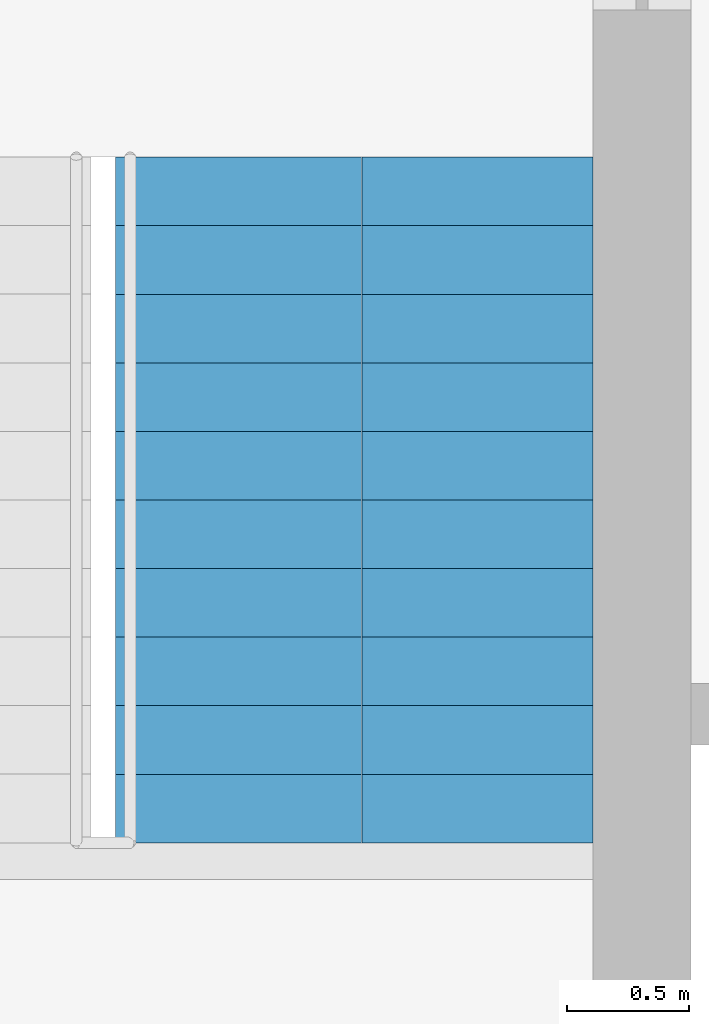
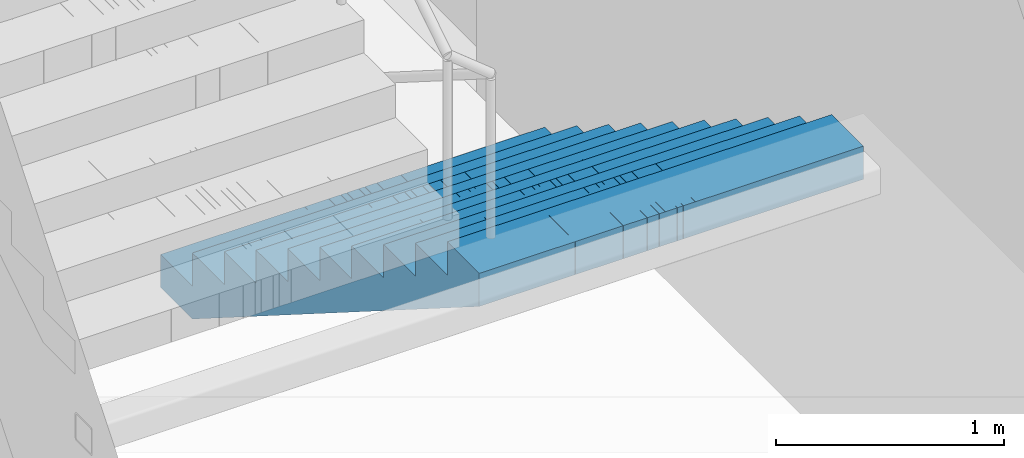
# One storey, part 21 of 22: 1 stair flight, 1 element without a shape of its own.
"""IFC4 building model written with IfcOpenShell, lengths in metres."""

import ifcopenshell
import ifcopenshell.guid

model = None  # the IFC model being written
_history = None  # IfcOwnerHistory: only IFC2X3 demands one
_inside = {}  # id of a spatial element -> (the spatial element, [elements in it])
_under = {}  # id of a project, library or spatial element -> (it, [spatial elements below it])
_declared = {}  # id of a project -> (the project, [libraries it declares])
_typed = {}  # id of a type object -> (the type object, [elements of that type])
_made_of = {}  # id of a material, layer set ... -> (it, [elements and type objects made of it])


def new_model(schema):
    """Start an empty IFC model of exactly this schema.

    Asked for "IFC4X3", IfcOpenShell would pick the latest addendum, in which some entities
    have other attributes; the version numbers below select the first issue.
    IFC2X3 requires an IfcOwnerHistory on every rooted entity: one is made here for all.
    """
    global model, _history
    if schema == "IFC4X3":
        model = ifcopenshell.file(schema_version=(4, 3, 0, 0))
    else:
        model = ifcopenshell.file(schema=schema)
    _inside.clear()
    _under.clear()
    _declared.clear()
    _typed.clear()
    _made_of.clear()
    _history = None
    if model.schema == "IFC2X3":
        org = make("IfcOrganization", Name="unknown")
        user = make(
            "IfcPersonAndOrganization",
            ThePerson=make("IfcPerson", FamilyName="unknown"),
            TheOrganization=org,
        )
        app = make(
            "IfcApplication",
            ApplicationDeveloper=org,
            Version="unknown",
            ApplicationFullName="unknown",
            ApplicationIdentifier="unknown",
        )
        _history = make(
            "IfcOwnerHistory",
            OwningUser=user,
            OwningApplication=app,
            ChangeAction="ADDED",
            CreationDate=0,
        )
    return model


def make(cls, **values):
    """One entity of the class cls with the attributes given. An attribute that is None is left unset."""
    return model.create_entity(
        cls, **{name: value for name, value in values.items() if value is not None}
    )


def rooted(cls, **values):
    """An entity with a GlobalId (a new one), such as an element, a storey or a relation."""
    return make(cls, GlobalId=ifcopenshell.guid.new(), OwnerHistory=_history, **values)


def si_unit(unit_type, name, prefix=None):
    """IfcSIUnit, for example si_unit("LENGTHUNIT", "METRE", prefix="MILLI")."""
    return make("IfcSIUnit", UnitType=unit_type, Prefix=prefix, Name=name)


def assignment(units):
    """IfcUnitAssignment: the units of a project."""
    return None if units is None else make("IfcUnitAssignment", Units=units)


def point(xyz):
    """IfcCartesianPoint."""
    return None if xyz is None else make("IfcCartesianPoint", Coordinates=xyz)


def direction(xyz):
    """IfcDirection."""
    return None if xyz is None else make("IfcDirection", DirectionRatios=xyz)


def frame(location, z_axis=None, x_axis=None):
    """IfcAxis2Placement3D, a coordinate frame: its origin and axes. An axis left out is left unset."""
    return make(
        "IfcAxis2Placement3D",
        Location=point(location),
        Axis=direction(z_axis),
        RefDirection=direction(x_axis),
    )


def origin():
    """The frame at (0, 0, 0) with its axes left unset."""
    return frame((0.0, 0.0, 0.0))


def place(relative_to, where):
    """IfcLocalPlacement: puts the frame where relative to a parent placement (None: the world)."""
    return make(
        "IfcLocalPlacement", PlacementRelTo=relative_to, RelativePlacement=where
    )


def context(
    kind, dimensions, precision=None, world=None, true_north=None, identifier=None
):
    """IfcGeometricRepresentationContext, for example the 3D "Model" context."""
    return make(
        "IfcGeometricRepresentationContext",
        ContextIdentifier=identifier,
        ContextType=kind,
        CoordinateSpaceDimension=dimensions,
        Precision=precision,
        WorldCoordinateSystem=world,
        TrueNorth=true_north,
    )


def subcontext(parent, identifier, kind, view, scale=None):
    """IfcGeometricRepresentationSubContext, for example "Body" below "Model"."""
    return make(
        "IfcGeometricRepresentationSubContext",
        ContextIdentifier=identifier,
        ContextType=kind,
        ParentContext=parent,
        TargetScale=scale,
        TargetView=view,
    )


def project(units=None, contexts=None):
    """IfcProject with its units and contexts."""
    return rooted(
        "IfcProject",
        Name="project",
        RepresentationContexts=contexts,
        UnitsInContext=assignment(units),
    )


def spatial(cls, under=None, at=None, **own):
    """A site, building, storey or space (cls), placed at a placement, below another one or the project."""
    s = rooted(cls, ObjectPlacement=at, **own)
    if under is not None:
        _under.setdefault(under.id(), (under, []))[1].append(s)
    return s


def polyline(points):
    """IfcPolyline through the points."""
    return make("IfcPolyline", Points=[point(p) for p in points])


def outline(outer, holes=None, kind="AREA"):
    """IfcArbitraryClosedProfileDef: a profile drawn as a closed curve; with holes, ...WithVoids."""
    if holes is None:
        return make("IfcArbitraryClosedProfileDef", ProfileType=kind, OuterCurve=outer)
    return make(
        "IfcArbitraryProfileDefWithVoids",
        ProfileType=kind,
        OuterCurve=outer,
        InnerCurves=holes,
    )


def extrude(swept, where, along, depth):
    """IfcExtrudedAreaSolid: the profile swept, set in the frame where, extruded along a direction by depth."""
    return make(
        "IfcExtrudedAreaSolid",
        SweptArea=swept,
        Position=where,
        ExtrudedDirection=direction(along),
        Depth=depth,
    )


def shape(context_of_items, identifier, shape_type, items):
    """IfcShapeRepresentation: the items that make up one representation, for example the "Body"."""
    return make(
        "IfcShapeRepresentation",
        ContextOfItems=context_of_items,
        RepresentationIdentifier=identifier,
        RepresentationType=shape_type,
        Items=items,
    )


def material(Name=None, Category=None):
    """IfcMaterial."""
    return make("IfcMaterial", Name=Name, Category=Category)


def made_of(thing, what):
    """Note that an element or type object is made of a material, layer set ...; save() writes the relation."""
    if what is not None:
        _made_of.setdefault(what.id(), (what, []))[1].append(thing)
    return thing


def type_object(cls, material=None, **own):
    """A type object (cls), such as IfcWallType, which elements share."""
    return made_of(rooted(cls, **own), material)


def element(
    cls,
    number,
    at=None,
    inside=None,
    cuts=None,
    type_object=None,
    material=None,
    context=None,
    identifier="Body",
    shape_type=None,
    held_by="IfcProductDefinitionShape",
    body=None,
    shapes=None,
    **own,
):
    """One element of the class cls, such as IfcWall. Its Tag is "e" and its number.

    at: its placement. inside: the storey or other place that contains it. cuts: it is an
    opening in that element (IfcRelVoidsElement). A single representation is given by context,
    identifier, shape_type and body (its items); several are given by shapes. held_by: the class
    of the entity that holds the representations. save() writes the other relations.
    """
    e = rooted(cls, Tag="e%d" % number, ObjectPlacement=at, **own)
    if body is not None:
        shapes = [shape(context, identifier, shape_type, body)]
    if shapes is not None:
        e.Representation = make(held_by, Representations=shapes)
    if inside is not None:
        _inside.setdefault(inside.id(), (inside, []))[1].append(e)
    if cuts is not None:
        rooted(
            "IfcRelVoidsElement", RelatingBuildingElement=cuts, RelatedOpeningElement=e
        )
    if type_object is not None:
        _typed.setdefault(type_object.id(), (type_object, []))[1].append(e)
    return made_of(e, material)


def aggregate(whole, parts):
    """IfcRelAggregates: a whole, such as a stair, and the parts it consists of."""
    return rooted("IfcRelAggregates", RelatingObject=whole, RelatedObjects=parts)


def save(model, path):
    """Write the relations noted so far, then the file.

    IfcRelAggregates (storeys below a building ...), IfcRelContainedInSpatialStructure (elements
    in a storey), IfcRelDefinesByType, IfcRelAssociatesMaterial and IfcRelDeclares: one each for
    every whole, place, type object, material and project.
    """
    for whole, parts in _under.values():
        aggregate(whole, parts)
    for where, things in _inside.values():
        rooted(
            "IfcRelContainedInSpatialStructure",
            RelatedElements=things,
            RelatingStructure=where,
        )
    for kind, things in _typed.values():
        rooted("IfcRelDefinesByType", RelatedObjects=things, RelatingType=kind)
    for what, things in _made_of.values():
        rooted("IfcRelAssociatesMaterial", RelatedObjects=things, RelatingMaterial=what)
    for by, libraries in _declared.values():
        rooted("IfcRelDeclares", RelatingContext=by, RelatedDefinitions=libraries)
    model.write(path)


model = new_model("IFC4")

# Units and contexts
model_context = context("Model", 3, precision=1e-05, world=origin(), true_north=direction((0.0, 1.0)))
body_context = subcontext(model_context, "Body", "Model", "MODEL_VIEW")
ifc_project = project(units=[si_unit("LENGTHUNIT", "METRE"), si_unit("AREAUNIT", "SQUARE_METRE"), si_unit("VOLUMEUNIT", "CUBIC_METRE"), si_unit("PLANEANGLEUNIT", "RADIAN"), si_unit("MASSUNIT", "GRAM", prefix="KILO")], contexts=[model_context])

# Site, building, storey
site_placement = place(None, origin())
site = spatial("IfcSite", under=ifc_project, at=site_placement, CompositionType="ELEMENT")
building_placement = place(site_placement, origin())
building = spatial("IfcBuilding", under=site, at=building_placement, Name="Mizan Broadcast Tower", CompositionType="ELEMENT")
storey_placement = place(building_placement, frame((0.0, 0.0, 94.199951171875)))
storey = spatial("IfcBuildingStorey", under=building, at=storey_placement, Name="L20", CompositionType="ELEMENT", Elevation=94.199951171875)

# Stair, stair flight
ifc_material_1 = material(Name="Concrete C40/50", Category="concrete")
stair_type = type_object("IfcStairType", Name="EXIT STAIR", PredefinedType="HALF_TURN_STAIR", material=ifc_material_1)
stair_placement = place(storey_placement, origin())
stair = element("IfcStair", 1, at=stair_placement, inside=storey, type_object=stair_type, Name="Stair B L20", PredefinedType="HALF_TURN_STAIR")
ifc_material_2 = material(Name="Concrete C40/50", Category="concrete")
stair_flight_type = type_object("IfcStairFlightType", Name="EXIT STAIR FLIGHT", PredefinedType="STRAIGHT", material=ifc_material_2)
stair_flight_placement = place(storey_placement, frame((1.02490234375, 7.89990234375, 0.0), z_axis=(0.0, 0.0, 1.0), x_axis=(0.0, -1.0, 0.0)))
stair_flight = element("IfcStairFlight", 2, at=stair_flight_placement, type_object=stair_flight_type, Name="B flight 1", NumberOfRisers=11, NumberOfTreads=10, PredefinedType="STRAIGHT", RiserHeight=0.177272727, TreadLength=0.28, context=body_context, shape_type="SweptSolid", body=[
    extrude(outline(polyline([(0.0, 0.0), (0.0, 0.17724609375), (0.280029296875, 0.17724609375), (0.280029296875, 0.3544921875), (0.56005859375, 0.3544921875), (0.56005859375, 0.53173828125), (0.840087890625, 0.53173828125), (0.840087890625, 0.708984375), (1.1201171875, 0.708984375), (1.1201171875, 0.886474609375), (1.39990234375, 0.886474609375), (1.39990234375, 1.063720703125), (1.679931640625, 1.063720703125), (1.679931640625, 1.240966796875), (1.9599609375, 1.240966796875), (1.9599609375, 1.418212890625), (2.239990234375, 1.418212890625), (2.239990234375, 1.595458984375), (2.52001953125, 1.595458984375), (2.52001953125, 1.772705078125), (2.800048828125, 1.772705078125), (2.800048828125, 1.949951171875), (2.800048828125, 1.59521484375), (0.2802734375, 0.0), (0.0, 0.0)])), frame((0.0, 0.97509765625, 0.0), z_axis=(0.0, -1.0, 0.0), x_axis=(1.0, 0.0, 0.0)), (0.0, 0.0, 1.0), 0.4873046875),
    extrude(outline(polyline([(0.0, 0.0), (0.0, 0.17724609375), (0.280029296875, 0.17724609375), (0.280029296875, 0.3544921875), (0.56005859375, 0.3544921875), (0.56005859375, 0.53173828125), (0.840087890625, 0.53173828125), (0.840087890625, 0.708984375), (1.1201171875, 0.708984375), (1.1201171875, 0.886474609375), (1.39990234375, 0.886474609375), (1.39990234375, 1.063720703125), (1.679931640625, 1.063720703125), (1.679931640625, 1.240966796875), (1.9599609375, 1.240966796875), (1.9599609375, 1.418212890625), (2.239990234375, 1.418212890625), (2.239990234375, 1.595458984375), (2.52001953125, 1.595458984375), (2.52001953125, 1.772705078125), (2.800048828125, 1.772705078125), (2.800048828125, 1.949951171875), (2.800048828125, 1.59521484375), (0.2802734375, 0.0), (0.0, 0.0)])), frame((0.0, 0.4873046875, 0.0), z_axis=(0.0, -1.0, 0.0), x_axis=(1.0, 0.0, 0.0)), (0.0, 0.0, 1.0), 0.2431640625),
    extrude(outline(polyline([(0.0, 0.0), (0.0, 0.17724609375), (0.280029296875, 0.17724609375), (0.280029296875, 0.3544921875), (0.56005859375, 0.3544921875), (0.56005859375, 0.53173828125), (0.840087890625, 0.53173828125), (0.840087890625, 0.708984375), (1.1201171875, 0.708984375), (1.1201171875, 0.886474609375), (1.39990234375, 0.886474609375), (1.39990234375, 1.063720703125), (1.679931640625, 1.063720703125), (1.679931640625, 1.240966796875), (1.9599609375, 1.240966796875), (1.9599609375, 1.418212890625), (2.239990234375, 1.418212890625), (2.239990234375, 1.595458984375), (2.52001953125, 1.595458984375), (2.52001953125, 1.772705078125), (2.800048828125, 1.772705078125), (2.800048828125, 1.949951171875), (2.800048828125, 1.59521484375), (0.2802734375, 0.0), (0.0, 0.0)])), frame((0.0, 0.24365234375, 0.0), z_axis=(0.0, -1.0, 0.0), x_axis=(1.0, 0.0, 0.0)), (0.0, 0.0, 1.0), 0.121337890625),
    extrude(outline(polyline([(0.0, 0.0), (0.0, 0.17724609375), (0.280029296875, 0.17724609375), (0.280029296875, 0.3544921875), (0.56005859375, 0.3544921875), (0.56005859375, 0.53173828125), (0.840087890625, 0.53173828125), (0.840087890625, 0.708984375), (1.1201171875, 0.708984375), (1.1201171875, 0.886474609375), (1.39990234375, 0.886474609375), (1.39990234375, 1.063720703125), (1.679931640625, 1.063720703125), (1.679931640625, 1.240966796875), (1.9599609375, 1.240966796875), (1.9599609375, 1.418212890625), (2.239990234375, 1.418212890625), (2.239990234375, 1.595458984375), (2.52001953125, 1.595458984375), (2.52001953125, 1.772705078125), (2.800048828125, 1.772705078125), (2.800048828125, 1.949951171875), (2.800048828125, 1.59521484375), (0.2802734375, 0.0), (0.0, 0.0)])), frame((0.0, 0.121826171875, 0.0), z_axis=(0.0, -1.0, 0.0), x_axis=(1.0, 0.0, 0.0)), (0.0, 0.0, 1.0), 0.060546875),
    extrude(outline(polyline([(0.0, 0.0), (0.0, 0.17724609375), (0.280029296875, 0.17724609375), (0.280029296875, 0.3544921875), (0.56005859375, 0.3544921875), (0.56005859375, 0.53173828125), (0.840087890625, 0.53173828125), (0.840087890625, 0.708984375), (1.1201171875, 0.708984375), (1.1201171875, 0.886474609375), (1.39990234375, 0.886474609375), (1.39990234375, 1.063720703125), (1.679931640625, 1.063720703125), (1.679931640625, 1.240966796875), (1.9599609375, 1.240966796875), (1.9599609375, 1.418212890625), (2.239990234375, 1.418212890625), (2.239990234375, 1.595458984375), (2.52001953125, 1.595458984375), (2.52001953125, 1.772705078125), (2.800048828125, 1.772705078125), (2.800048828125, 1.949951171875), (2.800048828125, 1.59521484375), (0.2802734375, 0.0), (0.0, 0.0)])), frame((0.0, 0.060791015625, 0.0), z_axis=(0.0, -1.0, 0.0), x_axis=(1.0, 0.0, 0.0)), (0.0, 0.0, 1.0), 0.030029296875),
    extrude(outline(polyline([(0.0, 0.0), (0.0, 0.17724609375), (0.280029296875, 0.17724609375), (0.280029296875, 0.3544921875), (0.56005859375, 0.3544921875), (0.56005859375, 0.53173828125), (0.840087890625, 0.53173828125), (0.840087890625, 0.708984375), (1.1201171875, 0.708984375), (1.1201171875, 0.886474609375), (1.39990234375, 0.886474609375), (1.39990234375, 1.063720703125), (1.679931640625, 1.063720703125), (1.679931640625, 1.240966796875), (1.9599609375, 1.240966796875), (1.9599609375, 1.418212890625), (2.239990234375, 1.418212890625), (2.239990234375, 1.595458984375), (2.52001953125, 1.595458984375), (2.52001953125, 1.772705078125), (2.800048828125, 1.772705078125), (2.800048828125, 1.949951171875), (2.800048828125, 1.59521484375), (0.2802734375, 0.0), (0.0, 0.0)])), frame((0.0, 0.0302734375, 0.0), z_axis=(0.0, -1.0, 0.0), x_axis=(1.0, 0.0, 0.0)), (0.0, 0.0, 1.0), 0.060302734375),
    extrude(outline(polyline([(0.0, 0.0), (0.0, 0.17724609375), (0.280029296875, 0.17724609375), (0.280029296875, 0.3544921875), (0.56005859375, 0.3544921875), (0.56005859375, 0.53173828125), (0.840087890625, 0.53173828125), (0.840087890625, 0.708984375), (1.1201171875, 0.708984375), (1.1201171875, 0.886474609375), (1.39990234375, 0.886474609375), (1.39990234375, 1.063720703125), (1.679931640625, 1.063720703125), (1.679931640625, 1.240966796875), (1.9599609375, 1.240966796875), (1.9599609375, 1.418212890625), (2.239990234375, 1.418212890625), (2.239990234375, 1.595458984375), (2.52001953125, 1.595458984375), (2.52001953125, 1.772705078125), (2.800048828125, 1.772705078125), (2.800048828125, 1.949951171875), (2.800048828125, 1.59521484375), (0.2802734375, 0.0), (0.0, 0.0)])), frame((0.0, -0.030517578125, 0.0), z_axis=(0.0, -1.0, 0.0), x_axis=(1.0, 0.0, 0.0)), (0.0, 0.0, 1.0), 0.030029296875),
    extrude(outline(polyline([(0.0, 0.0), (0.0, 0.17724609375), (0.280029296875, 0.17724609375), (0.280029296875, 0.3544921875), (0.56005859375, 0.3544921875), (0.56005859375, 0.53173828125), (0.840087890625, 0.53173828125), (0.840087890625, 0.708984375), (1.1201171875, 0.708984375), (1.1201171875, 0.886474609375), (1.39990234375, 0.886474609375), (1.39990234375, 1.063720703125), (1.679931640625, 1.063720703125), (1.679931640625, 1.240966796875), (1.9599609375, 1.240966796875), (1.9599609375, 1.418212890625), (2.239990234375, 1.418212890625), (2.239990234375, 1.595458984375), (2.52001953125, 1.595458984375), (2.52001953125, 1.772705078125), (2.800048828125, 1.772705078125), (2.800048828125, 1.949951171875), (2.800048828125, 1.59521484375), (0.2802734375, 0.0), (0.0, 0.0)])), frame((0.0, -0.06103515625, 0.0), z_axis=(0.0, -1.0, 0.0), x_axis=(1.0, 0.0, 0.0)), (0.0, 0.0, 1.0), 0.060546875),
    extrude(outline(polyline([(0.0, 0.0), (0.0, 0.17724609375), (0.280029296875, 0.17724609375), (0.280029296875, 0.3544921875), (0.56005859375, 0.3544921875), (0.56005859375, 0.53173828125), (0.840087890625, 0.53173828125), (0.840087890625, 0.708984375), (1.1201171875, 0.708984375), (1.1201171875, 0.886474609375), (1.39990234375, 0.886474609375), (1.39990234375, 1.063720703125), (1.679931640625, 1.063720703125), (1.679931640625, 1.240966796875), (1.9599609375, 1.240966796875), (1.9599609375, 1.418212890625), (2.239990234375, 1.418212890625), (2.239990234375, 1.595458984375), (2.52001953125, 1.595458984375), (2.52001953125, 1.772705078125), (2.800048828125, 1.772705078125), (2.800048828125, 1.949951171875), (2.800048828125, 1.59521484375), (0.2802734375, 0.0), (0.0, 0.0)])), frame((0.0, -0.1220703125, 0.0), z_axis=(0.0, -1.0, 0.0), x_axis=(1.0, 0.0, 0.0)), (0.0, 0.0, 1.0), 0.121337890625),
    extrude(outline(polyline([(0.0, 0.0), (0.0, 0.17724609375), (0.280029296875, 0.17724609375), (0.280029296875, 0.3544921875), (0.56005859375, 0.3544921875), (0.56005859375, 0.53173828125), (0.840087890625, 0.53173828125), (0.840087890625, 0.708984375), (1.1201171875, 0.708984375), (1.1201171875, 0.886474609375), (1.39990234375, 0.886474609375), (1.39990234375, 1.063720703125), (1.679931640625, 1.063720703125), (1.679931640625, 1.240966796875), (1.9599609375, 1.240966796875), (1.9599609375, 1.418212890625), (2.239990234375, 1.418212890625), (2.239990234375, 1.595458984375), (2.52001953125, 1.595458984375), (2.52001953125, 1.772705078125), (2.800048828125, 1.772705078125), (2.800048828125, 1.949951171875), (2.800048828125, 1.59521484375), (0.2802734375, 0.0), (0.0, 0.0)])), frame((0.0, -0.243896484375, 0.0), z_axis=(0.0, -1.0, 0.0), x_axis=(1.0, 0.0, 0.0)), (0.0, 0.0, 1.0), 0.2431640625),
    extrude(outline(polyline([(0.0, 0.0), (0.0, 0.17724609375), (0.280029296875, 0.17724609375), (0.280029296875, 0.3544921875), (0.56005859375, 0.3544921875), (0.56005859375, 0.53173828125), (0.840087890625, 0.53173828125), (0.840087890625, 0.708984375), (1.1201171875, 0.708984375), (1.1201171875, 0.886474609375), (1.39990234375, 0.886474609375), (1.39990234375, 1.063720703125), (1.679931640625, 1.063720703125), (1.679931640625, 1.240966796875), (1.9599609375, 1.240966796875), (1.9599609375, 1.418212890625), (2.239990234375, 1.418212890625), (2.239990234375, 1.595458984375), (2.52001953125, 1.595458984375), (2.52001953125, 1.772705078125), (2.800048828125, 1.772705078125), (2.800048828125, 1.949951171875), (2.800048828125, 1.59521484375), (0.2802734375, 0.0), (0.0, 0.0)])), frame((0.0, -0.487548828125, 0.0), z_axis=(0.0, -1.0, 0.0), x_axis=(1.0, 0.0, 0.0)), (0.0, 0.0, 1.0), 0.4873046875),
])
aggregate(stair, [stair_flight])

save(model, "model.ifc")
